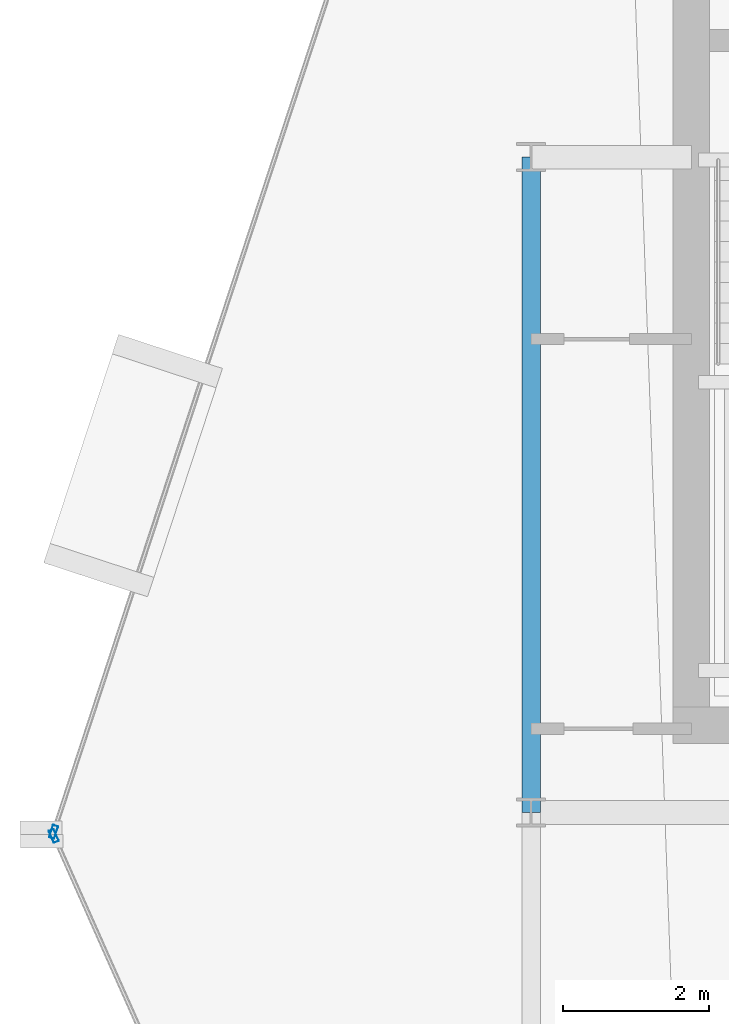
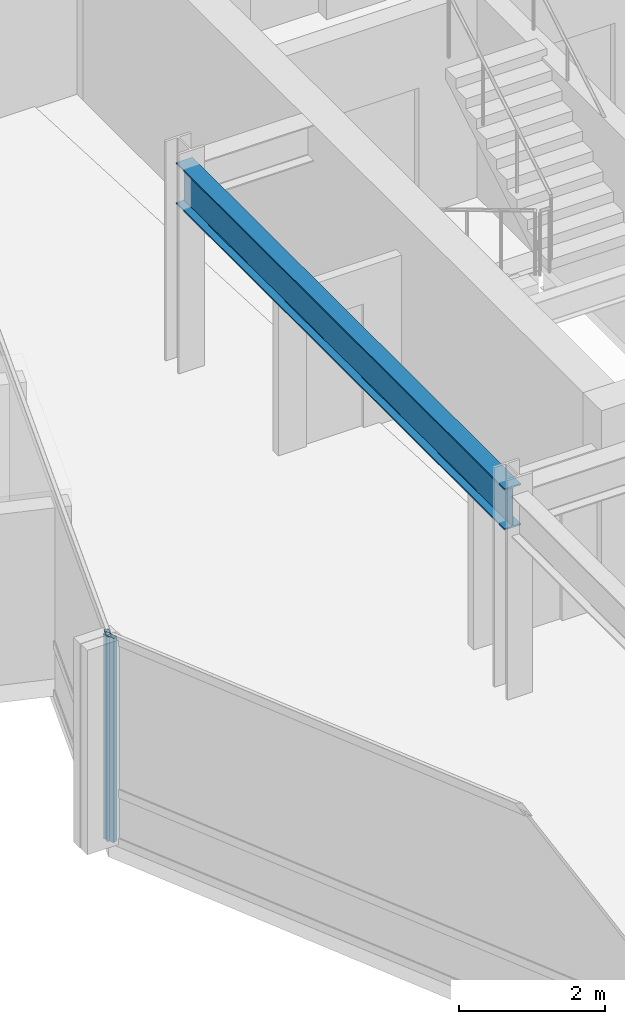
# One storey, part 6 of 28: 2 members, 1 beam, 2 elements without a shape of their own.
"""IFC4 building model written with IfcOpenShell, lengths in metres."""

from ifc_helpers import new_model, si_unit, direction, frame, origin, origin_2d, place, context, subcontext, project, spatial, hollow_rectangle, i_section, extrude, material, layer, layer_set, material_profile, profile_set, type_object, element, aggregate, save


model = new_model("IFC4")

# Units and contexts
model_context = context("Model", 3, precision=1e-05, world=origin(), true_north=direction((0.0, 1.0)))
body_context = subcontext(model_context, "Body", "Model", "MODEL_VIEW")
ifc_project = project(units=[si_unit("LENGTHUNIT", "METRE"), si_unit("AREAUNIT", "SQUARE_METRE"), si_unit("VOLUMEUNIT", "CUBIC_METRE"), si_unit("PLANEANGLEUNIT", "RADIAN"), si_unit("MASSUNIT", "GRAM", prefix="KILO")], contexts=[model_context])

# Site, building, storey
site_placement = place(None, origin())
site = spatial("IfcSite", under=ifc_project, at=site_placement, CompositionType="ELEMENT")
building_placement = place(site_placement, origin())
building = spatial("IfcBuilding", under=site, at=building_placement, Name="Solvaryn Broadcast Tower", CompositionType="ELEMENT")
storey_placement = place(building_placement, frame((0.0, 0.0, 206.199951171875)))
storey = spatial("IfcBuildingStorey", under=building, at=storey_placement, Name="L51", CompositionType="ELEMENT", Elevation=206.199951171875)

# Beam
ifc_material_1 = material(Name="Steel ASTM A992 Grade 50", Category="steel")
ifc_material_profile_1 = material_profile(ifc_material_1, i_section(OverallWidth=0.256103515625, OverallDepth=0.693115234375, WebThickness=0.014404296875, FlangeThickness=0.023681640625, FilletRadius=0.01611328125, at=origin_2d()))
ifc_profile_set_1 = profile_set([ifc_material_profile_1], Name="Steel ASTM A992 Grade 50")
beam_type = type_object("IfcBeamType", Name="BM-SP3-W27X114", PredefinedType="USERDEFINED", material=ifc_profile_set_1)
beam_placement = place(storey_placement, frame((9.0, 27.0, 3.073486328125), z_axis=(0.0, 1.0, 0.0), x_axis=(-1.0, 0.0, 0.0)))
element("IfcBeam", 1, at=beam_placement, inside=storey, type_object=beam_type, Name="L51 Spandrel Beam Y (27-36 @ X=9)", ObjectType="SPANDREL", PredefinedType="USERDEFINED", context=body_context, shape_type="SweptSolid", body=[
    extrude(i_section(OverallWidth=0.256103515625, OverallDepth=0.693115234375, WebThickness=0.014404296875, FlangeThickness=0.023681640625, FilletRadius=0.01611328125, at=origin_2d()), origin(), (0.0, 0.0, 1.0), 9.0),
])

# Curtain wall, member
ifc_material_2 = material(Name="Aluminium and Terracotta Unitised Curtain Wall", Category="masonry")
ifc_layer = layer(ifc_material_2, 0.199951171875)
ifc_layer_set = layer_set([ifc_layer], Name="CW-SYS2-LOWMID")
curtain_wall_type = type_object("IfcCurtainWallType", Name="CW-SYS2-LOWMID", PredefinedType="NOTDEFINED", material=ifc_layer_set)
curtain_wall_1_placement = place(storey_placement, origin())
curtain_wall_1 = element("IfcCurtainWall", 2, at=curtain_wall_1_placement, inside=storey, type_object=curtain_wall_type, Name="L51 Curtain Wall DR1", PredefinedType="NOTDEFINED")
ifc_material_3 = material(Name="Anodised Aluminium 6063-T6", Category="aluminium")
ifc_material_profile_2 = material_profile(ifc_material_3, hollow_rectangle(XDim=0.074951171875, YDim=0.179931640625, WallThickness=0.00390625, InnerFilletRadius=0.00390625, OuterFilletRadius=0.008056640625, at=origin_2d()))
ifc_profile_set_2 = profile_set([ifc_material_profile_2], Name="Anodised Aluminium 6063-T6")
member_type = type_object("IfcMemberType", Name="CW-MUL-180", PredefinedType="MULLION", material=ifc_profile_set_2)
member_1_placement = place(storey_placement, frame((2.4423828125, 26.734619140625, 0.0), z_axis=(0.0, 0.0, 1.0), x_axis=(0.950226902099, -0.311558717623, 0.0)))
member_1 = element("IfcMember", 3, at=member_1_placement, type_object=member_type, Name="CWS2 mullion 2", PredefinedType="MULLION", context=body_context, shape_type="SweptSolid", body=[
    extrude(hollow_rectangle(XDim=0.074951171875, YDim=0.179931640625, WallThickness=0.00390625, InnerFilletRadius=0.00390625, OuterFilletRadius=0.008056640625, at=origin_2d()), origin(), (0.0, 0.0, 1.0), 3.420166015625),
])
aggregate(curtain_wall_1, [member_1])

curtain_wall_2_placement = place(storey_placement, origin())
curtain_wall_2 = element("IfcCurtainWall", 4, at=curtain_wall_2_placement, inside=storey, type_object=curtain_wall_type, Name="L51 Curtain Wall DR2", PredefinedType="NOTDEFINED")
member_2_placement = place(storey_placement, frame((2.445068359375, 26.678466796875, 0.0), z_axis=(0.0, 0.0, 1.0), x_axis=(0.913916902365, 0.405901337237, 0.0)))
member_2 = element("IfcMember", 5, at=member_2_placement, type_object=member_type, Name="CWS2 mullion 1", PredefinedType="MULLION", context=body_context, shape_type="SweptSolid", body=[
    extrude(hollow_rectangle(XDim=0.074951171875, YDim=0.179931640625, WallThickness=0.00390625, InnerFilletRadius=0.00390625, OuterFilletRadius=0.008056640625, at=origin_2d()), origin(), (0.0, 0.0, 1.0), 3.420166015625),
])
aggregate(curtain_wall_2, [member_2])

save(model, "model.ifc")
